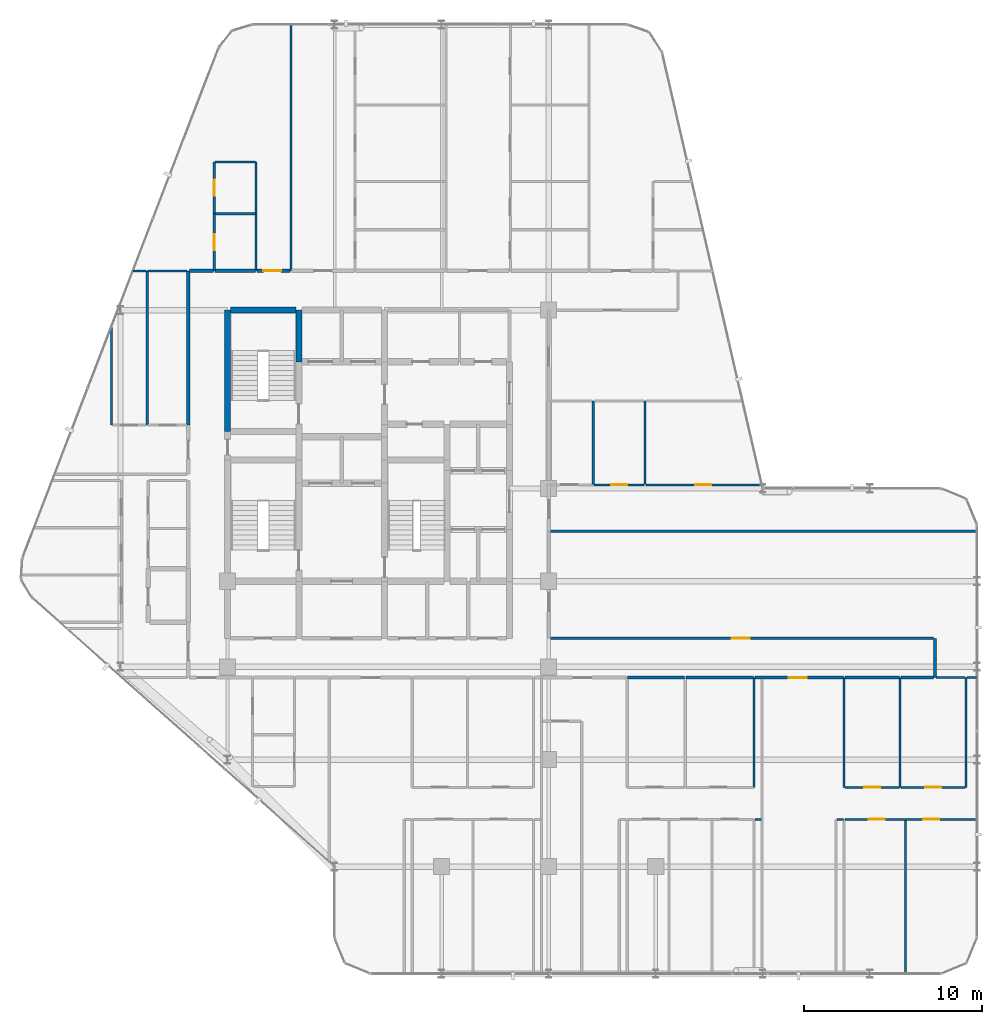
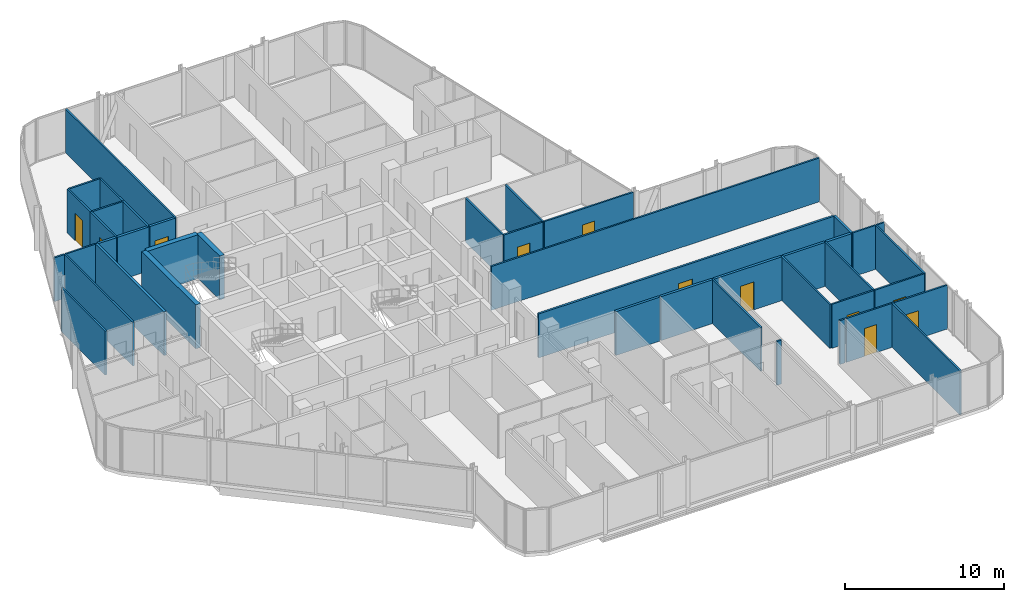
# One storey, part 26 of 29: 42 walls, 11 doors, 11 openings.
"""IFC4 building model written with IfcOpenShell, lengths in metres."""

from ifc_helpers import new_model, si_unit, direction, frame, frame_2d, origin, place, context, subcontext, project, spatial, rectangle, extrude, material, layer, layer_set, type_object, element, fill, save


model = new_model("IFC4")

# Units and contexts
model_context = context("Model", 3, precision=1e-05, world=origin(), true_north=direction((0.0, 1.0)))
body_context = subcontext(model_context, "Body", "Model", "MODEL_VIEW")
ifc_project = project(units=[si_unit("LENGTHUNIT", "METRE"), si_unit("AREAUNIT", "SQUARE_METRE"), si_unit("VOLUMEUNIT", "CUBIC_METRE"), si_unit("PLANEANGLEUNIT", "RADIAN"), si_unit("MASSUNIT", "GRAM", prefix="KILO")], contexts=[model_context])

# Site, building, storey
site_placement = place(None, origin())
site = spatial("IfcSite", under=ifc_project, at=site_placement, CompositionType="ELEMENT")
building_placement = place(site_placement, origin())
building = spatial("IfcBuilding", under=site, at=building_placement, Name="Keshet Zoharim Tower", CompositionType="ELEMENT")
storey_placement = place(building_placement, frame((0.0, 0.0, 180.199951171875)))
storey = spatial("IfcBuildingStorey", under=building, at=storey_placement, Name="L44", CompositionType="ELEMENT", Elevation=180.199951171875)

# Wall
ifc_material_1 = material(Name="Gypsum Plasterboard", Category="gypsum")
ifc_layer_1 = layer(ifc_material_1, 0.14990234375)
ifc_layer_set_1 = layer_set([ifc_layer_1], Name="Gypsum Plasterboard")
wall_type_1 = type_object("IfcWallType", Name="WL-CLIN-150", PredefinedType="STANDARD", material=ifc_layer_set_1)
wall_1_placement = place(storey_placement, frame((54.64990234375, 17.31005859375, 0.0), z_axis=(0.0, 0.0, 1.0), x_axis=(0.0, 1.0, 0.0)))
element("IfcWall", 1, at=wall_1_placement, inside=storey, type_object=wall_type_1, Name="L44 Interior Wall 102", PredefinedType="STANDARD", context=body_context, shape_type="SweptSolid", body=[
    extrude(rectangle(XDim=2.18994140625, YDim=0.14990234375, at=frame_2d((1.094970703125, 0.0))), origin(), (0.0, 0.0, 1.0), 3.380126953125),
])

# Wall, opening, door
wall_2_placement = place(storey_placement, frame((33.070068359375, 19.5, 0.0), z_axis=(0.0, 0.0, 1.0), x_axis=(1.0, 0.0, 0.0)))
wall_2 = element("IfcWall", 2, at=wall_2_placement, inside=storey, type_object=wall_type_1, Name="L44 Interior Wall 140", PredefinedType="STANDARD", context=body_context, shape_type="SweptSolid", body=[
    extrude(rectangle(XDim=21.510009765625, YDim=0.14990234375, at=frame_2d((10.7548828125, 0.0))), origin(), (0.0, 0.0, 1.0), 3.380126953125),
])
opening_1_placement = place(wall_2_placement, frame((10.18505859375, 0.0, 0.0)))
opening_1 = element("IfcOpeningElement", 3, at=opening_1_placement, cuts=wall_2, Name="Opening D-F310", PredefinedType="OPENING", context=body_context, shape_type="SweptSolid", body=[
    extrude(rectangle(XDim=1.0, YDim=2.14990234375, at=frame_2d((0.5, 1.074951171875))), frame((0.0, 0.0849609375, 0.0), z_axis=(0.0, -1.0, 0.0), x_axis=(1.0, 0.0, 0.0)), (0.0, 0.0, 1.0), 0.169921875),
])
ifc_material_2 = material(Name="Hardwood Timber", Category="wood")
door_type_1 = type_object("IfcDoorType", Name="DR-FD30-100", OperationType="NOTDEFINED", PredefinedType="DOOR", material=ifc_material_2)
door_1_placement = place(opening_1_placement, origin())
door_1 = element("IfcDoor", 4, at=door_1_placement, inside=storey, type_object=door_type_1, Name="L44 South East Residents Services Suite Door 1", OperationType="SINGLE_SWING_LEFT", OverallHeight=2.14990234375, OverallWidth=1.0, PredefinedType="DOOR", context=body_context, shape_type="SweptSolid", body=[
    extrude(rectangle(XDim=1.0, YDim=2.14990234375, at=frame_2d((0.5, 1.074951171875))), frame((0.0, 0.02490234375, 0.0), z_axis=(0.0, -1.0, 0.0), x_axis=(1.0, 0.0, 0.0)), (0.0, 0.0, 1.0), 0.050048828125),
])
fill(opening_1, door_1)

# Walls
ifc_material_3 = material(Name="Concrete C60/75", Category="concrete")
ifc_layer_2 = layer(ifc_material_3, 0.35009765625)
ifc_layer_set_2 = layer_set([ifc_layer_2], Name="Concrete C60/75")
wall_type_2 = type_object("IfcWallType", Name="WL-CORE-350", PredefinedType="SHEAR", material=ifc_layer_set_2)
wall_3_placement = place(storey_placement, frame((15.0, 31.10009765625, 0.0), z_axis=(0.0, 0.0, 1.0), x_axis=(0.0, 1.0, 0.0)))
element("IfcWall", 5, at=wall_3_placement, inside=storey, type_object=wall_type_2, Name="L44 Core Shear Wall 018", PredefinedType="SHEAR", context=body_context, shape_type="SweptSolid", body=[
    extrude(rectangle(XDim=6.7998046875, YDim=0.35009765625, at=frame_2d((3.39990234375, 0.0))), origin(), (0.0, 0.0, 1.0), 3.380126953125),
])
wall_4_placement = place(storey_placement, frame((19.0, 35.0, 0.0), z_axis=(0.0, 0.0, 1.0), x_axis=(0.0, 1.0, 0.0)))
element("IfcWall", 6, at=wall_4_placement, inside=storey, type_object=wall_type_2, Name="L44 Core Shear Wall 030", PredefinedType="SHEAR", context=body_context, shape_type="SweptSolid", body=[
    extrude(rectangle(XDim=2.89990234375, YDim=0.35009765625, at=frame_2d((1.449951171875, 0.0))), origin(), (0.0, 0.0, 1.0), 3.380126953125),
])
wall_5_placement = place(storey_placement, frame((15.159912109375, 37.89990234375, 0.0), z_axis=(0.0, 0.0, 1.0), x_axis=(1.0, 0.0, 0.0)))
element("IfcWall", 7, at=wall_5_placement, inside=storey, type_object=wall_type_2, Name="L44 Core Shear Wall 178", PredefinedType="SHEAR", context=body_context, shape_type="SweptSolid", body=[
    extrude(rectangle(XDim=3.68017578125, YDim=0.35009765625, at=frame_2d((1.840087890625, 0.0))), origin(), (0.0, 0.0, 1.0), 3.380126953125),
])
ifc_layer_3 = layer(ifc_material_1, 0.179931640625)
ifc_layer_set_3 = layer_set([ifc_layer_3], Name="Gypsum Plasterboard")
wall_type_3 = type_object("IfcWallType", Name="WL-CORR-180", PredefinedType="STANDARD", material=ifc_layer_set_3)
wall_6_placement = place(storey_placement, frame((12.800048828125, 31.449951171875, 0.0), z_axis=(0.0, 0.0, 1.0), x_axis=(0.0, 1.0, 0.0)))
element("IfcWall", 8, at=wall_6_placement, inside=storey, type_object=wall_type_3, Name="L44 Interior Wall 012", PredefinedType="STANDARD", context=body_context, shape_type="SweptSolid", body=[
    extrude(rectangle(XDim=8.650146484375, YDim=0.179931640625, at=frame_2d((4.3251953125, 0.0))), origin(), (0.0, 0.0, 1.0), 3.380126953125),
])
wall_7_placement = place(storey_placement, frame((37.425048828125, 17.300048828125, 0.0), z_axis=(0.0, 0.0, 1.0), x_axis=(1.0, 0.0, 0.0)))
element("IfcWall", 9, at=wall_7_placement, inside=storey, type_object=wall_type_3, Name="L44 Interior Wall 129", PredefinedType="STANDARD", context=body_context, shape_type="SweptSolid", body=[
    extrude(rectangle(XDim=3.18994140625, YDim=0.179931640625, at=frame_2d((1.594970703125, 0.0))), origin(), (0.0, 0.0, 1.0), 3.380126953125),
])
wall_8_placement = place(storey_placement, frame((40.705078125, 17.300048828125, 0.0), z_axis=(0.0, 0.0, 1.0), x_axis=(1.0, 0.0, 0.0)))
element("IfcWall", 10, at=wall_8_placement, inside=storey, type_object=wall_type_3, Name="L44 Interior Wall 130", PredefinedType="STANDARD", context=body_context, shape_type="SweptSolid", body=[
    extrude(rectangle(XDim=3.760009765625, YDim=0.179931640625, at=frame_2d((1.8798828125, 0.0))), origin(), (0.0, 0.0, 1.0), 3.380126953125),
])

# Wall, opening, door
wall_9_placement = place(storey_placement, frame((44.554931640625, 17.300048828125, 0.0), z_axis=(0.0, 0.0, 1.0), x_axis=(1.0, 0.0, 0.0)))
wall_9 = element("IfcWall", 11, at=wall_9_placement, inside=storey, type_object=wall_type_3, Name="L44 Interior Wall 131", PredefinedType="STANDARD", context=body_context, shape_type="SweptSolid", body=[
    extrude(rectangle(XDim=4.969970703125, YDim=0.179931640625, at=frame_2d((2.48486328125, 0.0))), origin(), (0.0, 0.0, 1.0), 3.380126953125),
])
opening_2_placement = place(wall_9_placement, frame((1.9130859375, 0.0, 0.0)))
opening_2 = element("IfcOpeningElement", 12, at=opening_2_placement, cuts=wall_9, Name="Opening D-F310", PredefinedType="OPENING", context=body_context, shape_type="SweptSolid", body=[
    extrude(rectangle(XDim=1.0, YDim=2.14990234375, at=frame_2d((0.5, 1.074951171875))), frame((0.0, 0.10009765625, 0.0), z_axis=(0.0, -1.0, 0.0), x_axis=(1.0, 0.0, 0.0)), (0.0, 0.0, 1.0), 0.199951171875),
])
door_2_placement = place(opening_2_placement, origin())
door_2 = element("IfcDoor", 13, at=door_2_placement, inside=storey, type_object=door_type_1, Name="Apartment 4404 Entrance Door", OperationType="SINGLE_SWING_LEFT", OverallHeight=2.14990234375, OverallWidth=1.0, PredefinedType="DOOR", context=body_context, shape_type="SweptSolid", body=[
    extrude(rectangle(XDim=1.0, YDim=2.14990234375, at=frame_2d((0.5, 1.074951171875))), frame((0.0, 0.02490234375, 0.0), z_axis=(0.0, -1.0, 0.0), x_axis=(1.0, 0.0, 0.0)), (0.0, 0.0, 1.0), 0.050048828125),
])
fill(opening_2, door_2)

# Walls
wall_10_placement = place(storey_placement, frame((49.614990234375, 17.300048828125, 0.0), z_axis=(0.0, 0.0, 1.0), x_axis=(1.0, 0.0, 0.0)))
element("IfcWall", 14, at=wall_10_placement, inside=storey, type_object=wall_type_3, Name="L44 Interior Wall 132", PredefinedType="STANDARD", context=body_context, shape_type="SweptSolid", body=[
    extrude(rectangle(XDim=3.047119140625, YDim=0.179931640625, at=frame_2d((1.5234375, 0.0))), origin(), (0.0, 0.0, 1.0), 3.380126953125),
])
wall_11_placement = place(storey_placement, frame((52.751953125, 17.300048828125, 0.0), z_axis=(0.0, 0.0, 1.0), x_axis=(1.0, 0.0, 0.0)))
element("IfcWall", 15, at=wall_11_placement, inside=storey, type_object=wall_type_3, Name="L44 Interior Wall 133", PredefinedType="STANDARD", context=body_context, shape_type="SweptSolid", body=[
    extrude(rectangle(XDim=1.828125, YDim=0.179931640625, at=frame_2d((0.9140625, 0.0))), origin(), (0.0, 0.0, 1.0), 3.380126953125),
])
wall_12_placement = place(storey_placement, frame((12.875, 40.10009765625, 0.0), z_axis=(0.0, 0.0, 1.0), x_axis=(1.0, 0.0, 0.0)))
element("IfcWall", 16, at=wall_12_placement, inside=storey, type_object=wall_type_3, Name="L44 Interior Wall 185", PredefinedType="STANDARD", context=body_context, shape_type="SweptSolid", body=[
    extrude(rectangle(XDim=1.330078125, YDim=0.179931640625, at=frame_2d((0.6650390625, 0.0))), origin(), (0.0, 0.0, 1.0), 3.380126953125),
])
wall_13_placement = place(storey_placement, frame((14.294921875, 40.10009765625, 0.0), z_axis=(0.0, 0.0, 1.0), x_axis=(1.0, 0.0, 0.0)))
element("IfcWall", 17, at=wall_13_placement, inside=storey, type_object=wall_type_3, Name="L44 Interior Wall 186", PredefinedType="STANDARD", context=body_context, shape_type="SweptSolid", body=[
    extrude(rectangle(XDim=2.260009765625, YDim=0.179931640625, at=frame_2d((1.1298828125, 0.0))), origin(), (0.0, 0.0, 1.0), 3.380126953125),
])

# Wall, opening, door
wall_14_placement = place(storey_placement, frame((16.64501953125, 40.10009765625, 0.0), z_axis=(0.0, 0.0, 1.0), x_axis=(1.0, 0.0, 0.0)))
wall_14 = element("IfcWall", 18, at=wall_14_placement, inside=storey, type_object=wall_type_3, Name="L44 Interior Wall 187", PredefinedType="STANDARD", context=body_context, shape_type="SweptSolid", body=[
    extrude(rectangle(XDim=1.85986328125, YDim=0.179931640625, at=frame_2d((0.929931640625, 0.0))), origin(), (0.0, 0.0, 1.0), 3.380126953125),
])
opening_3_placement = place(wall_14_placement, frame((0.35693359375, 0.0, 0.0)))
opening_3 = element("IfcOpeningElement", 19, at=opening_3_placement, cuts=wall_14, Name="Opening D-F310", PredefinedType="OPENING", context=body_context, shape_type="SweptSolid", body=[
    extrude(rectangle(XDim=1.0, YDim=2.14990234375, at=frame_2d((0.5, 1.074951171875))), frame((0.0, 0.10009765625, 0.0), z_axis=(0.0, -1.0, 0.0), x_axis=(1.0, 0.0, 0.0)), (0.0, 0.0, 1.0), 0.199951171875),
])
door_3_placement = place(opening_3_placement, origin())
door_3 = element("IfcDoor", 20, at=door_3_placement, inside=storey, type_object=door_type_1, Name="Apartment 4405 Entrance Door", OperationType="SINGLE_SWING_RIGHT", OverallHeight=2.14990234375, OverallWidth=1.0, PredefinedType="DOOR", context=body_context, shape_type="SweptSolid", body=[
    extrude(rectangle(XDim=1.0, YDim=2.14990234375, at=frame_2d((0.5, 1.074951171875))), frame((0.0, 0.02490234375, 0.0), z_axis=(0.0, -1.0, 0.0), x_axis=(1.0, 0.0, 0.0)), (0.0, 0.0, 1.0), 0.050048828125),
])
fill(opening_3, door_3)

# Wall
ifc_layer_4 = layer(ifc_material_1, 0.1201171875)
ifc_layer_set_4 = layer_set([ifc_layer_4], Name="Gypsum Plasterboard")
wall_type_4 = type_object("IfcWallType", Name="WL-PART-120", PredefinedType="PARTITIONING", material=ifc_layer_set_4)
wall_15_placement = place(storey_placement, frame((8.5, 31.449951171875, 0.0), z_axis=(0.0, 0.0, 1.0), x_axis=(0.0, 1.0, 0.0)))
element("IfcWall", 21, at=wall_15_placement, inside=storey, type_object=wall_type_4, Name="L44 Interior Wall 001", PredefinedType="PARTITIONING", context=body_context, shape_type="SweptSolid", body=[
    extrude(rectangle(XDim=5.5400390625, YDim=0.1201171875, at=frame_2d((2.77001953125, 0.0))), origin(), (0.0, 0.0, 1.0), 3.380126953125),
])

# Wall, opening, door
wall_16_placement = place(storey_placement, frame((14.25, 40.10009765625, 0.0), z_axis=(0.0, 0.0, 1.0), x_axis=(0.0, 1.0, 0.0)))
wall_16 = element("IfcWall", 22, at=wall_16_placement, inside=storey, type_object=wall_type_4, Name="L44 Interior Wall 013", PredefinedType="PARTITIONING", context=body_context, shape_type="SweptSolid", body=[
    extrude(rectangle(XDim=3.199951171875, YDim=0.1201171875, at=frame_2d((1.60009765625, 0.0))), origin(), (0.0, 0.0, 1.0), 3.380126953125),
])
opening_4_placement = place(wall_16_placement, frame((1.14990234375, 0.0, 0.0)))
opening_4 = element("IfcOpeningElement", 23, at=opening_4_placement, cuts=wall_16, Name="Opening D-IN90", PredefinedType="OPENING", context=body_context, shape_type="SweptSolid", body=[
    extrude(rectangle(XDim=0.89990234375, YDim=2.14990234375, at=frame_2d((0.449951171875, 1.074951171875))), frame((0.0, 0.070068359375, 0.0), z_axis=(0.0, -1.0, 0.0), x_axis=(1.0, 0.0, 0.0)), (0.0, 0.0, 1.0), 0.14013671875),
])
door_type_2 = type_object("IfcDoorType", Name="DR-INT-090", OperationType="NOTDEFINED", PredefinedType="DOOR", material=ifc_material_2)
door_4_placement = place(opening_4_placement, origin())
door_4 = element("IfcDoor", 24, at=door_4_placement, inside=storey, type_object=door_type_2, Name="Apartment 4405 Kitchenette Door", OperationType="SINGLE_SWING_RIGHT", OverallHeight=2.14990234375, OverallWidth=0.89990234375, PredefinedType="DOOR", context=body_context, shape_type="SweptSolid", body=[
    extrude(rectangle(XDim=0.89990234375, YDim=2.14990234375, at=frame_2d((0.449951171875, 1.074951171875))), frame((0.0, 0.02490234375, 0.0), z_axis=(0.0, -1.0, 0.0), x_axis=(1.0, 0.0, 0.0)), (0.0, 0.0, 1.0), 0.050048828125),
])
fill(opening_4, door_4)

# Walls
wall_17_placement = place(storey_placement, frame((16.60009765625, 40.10009765625, 0.0), z_axis=(0.0, 0.0, 1.0), x_axis=(0.0, 1.0, 0.0)))
element("IfcWall", 25, at=wall_17_placement, inside=storey, type_object=wall_type_4, Name="L44 Interior Wall 021", PredefinedType="PARTITIONING", context=body_context, shape_type="SweptSolid", body=[
    extrude(rectangle(XDim=3.199951171875, YDim=0.1201171875, at=frame_2d((1.60009765625, 0.0))), origin(), (0.0, 0.0, 1.0), 3.380126953125),
])
wall_18_placement = place(storey_placement, frame((18.550048828125, 40.10009765625, 0.0), z_axis=(0.0, 0.0, 1.0), x_axis=(0.0, 1.0, 0.0)))
element("IfcWall", 26, at=wall_18_placement, inside=storey, type_object=wall_type_4, Name="L44 Interior Wall 023", PredefinedType="PARTITIONING", context=body_context, shape_type="SweptSolid", body=[
    extrude(rectangle(XDim=13.789794921875, YDim=0.1201171875, at=frame_2d((6.89501953125, 0.0))), origin(), (0.0, 0.0, 1.0), 3.380126953125),
])
wall_19_placement = place(storey_placement, frame((49.550048828125, 11.14990234375, 0.0), z_axis=(0.0, 0.0, 1.0), x_axis=(0.0, 1.0, 0.0)))
element("IfcWall", 27, at=wall_19_placement, inside=storey, type_object=wall_type_4, Name="L44 Interior Wall 099", PredefinedType="PARTITIONING", context=body_context, shape_type="SweptSolid", body=[
    extrude(rectangle(XDim=6.150146484375, YDim=0.1201171875, at=frame_2d((3.0751953125, 0.0))), origin(), (0.0, 0.0, 1.0), 3.380126953125),
])
wall_20_placement = place(storey_placement, frame((53.0, 0.7099609375, 0.0), z_axis=(0.0, 0.0, 1.0), x_axis=(0.0, 1.0, 0.0)))
element("IfcWall", 28, at=wall_20_placement, inside=storey, type_object=wall_type_4, Name="L44 Interior Wall 101", PredefinedType="PARTITIONING", context=body_context, shape_type="SweptSolid", body=[
    extrude(rectangle(XDim=8.64013671875, YDim=0.1201171875, at=frame_2d((4.320068359375, 0.0))), origin(), (0.0, 0.0, 1.0), 3.380126953125),
])
wall_21_placement = place(storey_placement, frame((44.554931640625, 9.35009765625, 0.0), z_axis=(0.0, 0.0, 1.0), x_axis=(1.0, 0.0, 0.0)))
element("IfcWall", 29, at=wall_21_placement, inside=storey, type_object=wall_type_4, Name="L44 Interior Wall 109", PredefinedType="PARTITIONING", context=body_context, shape_type="SweptSolid", body=[
    extrude(rectangle(XDim=0.360107421875, YDim=0.1201171875, at=frame_2d((0.18017578125, 0.0))), origin(), (0.0, 0.0, 1.0), 3.380126953125),
])
wall_22_placement = place(storey_placement, frame((49.1650390625, 9.35009765625, 0.0), z_axis=(0.0, 0.0, 1.0), x_axis=(1.0, 0.0, 0.0)))
element("IfcWall", 30, at=wall_22_placement, inside=storey, type_object=wall_type_4, Name="L44 Interior Wall 110", PredefinedType="PARTITIONING", context=body_context, shape_type="SweptSolid", body=[
    extrude(rectangle(XDim=0.35986328125, YDim=0.1201171875, at=frame_2d((0.179931640625, 0.0))), origin(), (0.0, 0.0, 1.0), 3.380126953125),
])

# Wall, openings, doors
wall_23_placement = place(storey_placement, frame((49.614990234375, 9.35009765625, 0.0), z_axis=(0.0, 0.0, 1.0), x_axis=(1.0, 0.0, 0.0)))
wall_23 = element("IfcWall", 31, at=wall_23_placement, inside=storey, type_object=wall_type_4, Name="L44 Interior Wall 111", PredefinedType="PARTITIONING", context=body_context, shape_type="SweptSolid", body=[
    extrude(rectangle(XDim=7.375, YDim=0.1201171875, at=frame_2d((3.6875, 0.0))), origin(), (0.0, 0.0, 1.0), 3.380126953125),
])
opening_5_placement = place(wall_23_placement, frame((1.31005859375, 0.0, 0.0)))
opening_5 = element("IfcOpeningElement", 32, at=opening_5_placement, cuts=wall_23, Name="Opening D-IN90", PredefinedType="OPENING", context=body_context, shape_type="SweptSolid", body=[
    extrude(rectangle(XDim=0.89990234375, YDim=2.14990234375, at=frame_2d((0.449951171875, 1.074951171875))), frame((0.0, 0.070068359375, 0.0), z_axis=(0.0, -1.0, 0.0), x_axis=(1.0, 0.0, 0.0)), (0.0, 0.0, 1.0), 0.14013671875),
])
opening_6_placement = place(wall_23_placement, frame((4.3701171875, 0.0, 0.0)))
opening_6 = element("IfcOpeningElement", 33, at=opening_6_placement, cuts=wall_23, Name="Opening D-IN90", PredefinedType="OPENING", context=body_context, shape_type="SweptSolid", body=[
    extrude(rectangle(XDim=0.89990234375, YDim=2.14990234375, at=frame_2d((0.449951171875, 1.074951171875))), frame((0.0, 0.070068359375, 0.0), z_axis=(0.0, -1.0, 0.0), x_axis=(1.0, 0.0, 0.0)), (0.0, 0.0, 1.0), 0.14013671875),
])
door_5_placement = place(opening_5_placement, origin())
door_5 = element("IfcDoor", 34, at=door_5_placement, inside=storey, type_object=door_type_2, Name="Apartment 4404 Bedroom 1 Door", OperationType="SINGLE_SWING_LEFT", OverallHeight=2.14990234375, OverallWidth=0.89990234375, PredefinedType="DOOR", context=body_context, shape_type="SweptSolid", body=[
    extrude(rectangle(XDim=0.89990234375, YDim=2.14990234375, at=frame_2d((0.449951171875, 1.074951171875))), frame((0.0, 0.02490234375, 0.0), z_axis=(0.0, -1.0, 0.0), x_axis=(1.0, 0.0, 0.0)), (0.0, 0.0, 1.0), 0.050048828125),
])
fill(opening_5, door_5)
door_6_placement = place(opening_6_placement, origin())
door_6 = element("IfcDoor", 35, at=door_6_placement, inside=storey, type_object=door_type_2, Name="Apartment 4404 Bedroom 2 Door", OperationType="SINGLE_SWING_RIGHT", OverallHeight=2.14990234375, OverallWidth=0.89990234375, PredefinedType="DOOR", context=body_context, shape_type="SweptSolid", body=[
    extrude(rectangle(XDim=0.89990234375, YDim=2.14990234375, at=frame_2d((0.449951171875, 1.074951171875))), frame((0.0, 0.02490234375, 0.0), z_axis=(0.0, -1.0, 0.0), x_axis=(1.0, 0.0, 0.0)), (0.0, 0.0, 1.0), 0.050048828125),
])
fill(opening_6, door_6)

# Wall, opening, door
wall_24_placement = place(storey_placement, frame((49.614990234375, 11.14990234375, 0.0), z_axis=(0.0, 0.0, 1.0), x_axis=(1.0, 0.0, 0.0)))
wall_24 = element("IfcWall", 36, at=wall_24_placement, inside=storey, type_object=wall_type_4, Name="L44 Interior Wall 116", PredefinedType="PARTITIONING", context=body_context, shape_type="SweptSolid", body=[
    extrude(rectangle(XDim=3.047119140625, YDim=0.1201171875, at=frame_2d((1.5234375, 0.0))), origin(), (0.0, 0.0, 1.0), 3.380126953125),
])
opening_7_placement = place(wall_24_placement, frame((1.073974609375, 0.0, 0.0)))
opening_7 = element("IfcOpeningElement", 37, at=opening_7_placement, cuts=wall_24, Name="Opening D-IN90", PredefinedType="OPENING", context=body_context, shape_type="SweptSolid", body=[
    extrude(rectangle(XDim=0.89990234375, YDim=2.14990234375, at=frame_2d((0.449951171875, 1.074951171875))), frame((0.0, 0.070068359375, 0.0), z_axis=(0.0, -1.0, 0.0), x_axis=(1.0, 0.0, 0.0)), (0.0, 0.0, 1.0), 0.14013671875),
])
door_7_placement = place(opening_7_placement, origin())
door_7 = element("IfcDoor", 38, at=door_7_placement, inside=storey, type_object=door_type_2, Name="Apartment 4404 Kitchen Door", OperationType="SINGLE_SWING_LEFT", OverallHeight=2.14990234375, OverallWidth=0.89990234375, PredefinedType="DOOR", context=body_context, shape_type="SweptSolid", body=[
    extrude(rectangle(XDim=0.89990234375, YDim=2.14990234375, at=frame_2d((0.449951171875, 1.074951171875))), frame((0.0, 0.02490234375, 0.0), z_axis=(0.0, -1.0, 0.0), x_axis=(1.0, 0.0, 0.0)), (0.0, 0.0, 1.0), 0.050048828125),
])
fill(opening_7, door_7)

# Walls
wall_25_placement = place(storey_placement, frame((56.43505859375, 17.300048828125, 0.0), z_axis=(0.0, 0.0, 1.0), x_axis=(1.0, 0.0, 0.0)))
element("IfcWall", 39, at=wall_25_placement, inside=storey, type_object=wall_type_4, Name="L44 Interior Wall 135", PredefinedType="PARTITIONING", context=body_context, shape_type="SweptSolid", body=[
    extrude(rectangle(XDim=0.554931640625, YDim=0.1201171875, at=frame_2d((0.27734375, 0.0))), origin(), (0.0, 0.0, 1.0), 3.380126953125),
])
wall_26_placement = place(storey_placement, frame((33.0849609375, 25.5, 0.0), z_axis=(0.0, 0.0, 1.0), x_axis=(1.0, 0.0, 0.0)))
element("IfcWall", 40, at=wall_26_placement, inside=storey, type_object=wall_type_4, Name="L44 Interior Wall 151", PredefinedType="PARTITIONING", context=body_context, shape_type="SweptSolid", body=[
    extrude(rectangle(XDim=23.905029296875, YDim=0.1201171875, at=frame_2d((11.95263671875, 0.0))), origin(), (0.0, 0.0, 1.0), 3.380126953125),
])

# Wall, opening, door
wall_27_placement = place(storey_placement, frame((38.445068359375, 28.10009765625, 0.0), z_axis=(0.0, 0.0, 1.0), x_axis=(1.0, 0.0, 0.0)))
wall_27 = element("IfcWall", 41, at=wall_27_placement, inside=storey, type_object=wall_type_4, Name="L44 Interior Wall 157", PredefinedType="PARTITIONING", context=body_context, shape_type="SweptSolid", body=[
    extrude(rectangle(XDim=6.4990234375, YDim=0.1201171875, at=frame_2d((3.24951171875, 0.0))), origin(), (0.0, 0.0, 1.0), 3.380126953125),
])
opening_8_placement = place(wall_27_placement, frame((2.77392578125, 0.0, 0.0)))
opening_8 = element("IfcOpeningElement", 42, at=opening_8_placement, cuts=wall_27, Name="Opening D-IN90", PredefinedType="OPENING", context=body_context, shape_type="SweptSolid", body=[
    extrude(rectangle(XDim=0.89990234375, YDim=2.14990234375, at=frame_2d((0.449951171875, 1.074951171875))), frame((0.0, 0.070068359375, 0.0), z_axis=(0.0, -1.0, 0.0), x_axis=(1.0, 0.0, 0.0)), (0.0, 0.0, 1.0), 0.14013671875),
])
door_8_placement = place(opening_8_placement, origin())
door_8 = element("IfcDoor", 43, at=door_8_placement, inside=storey, type_object=door_type_2, Name="Apartment 4411 Bedroom 1 Door", OperationType="SINGLE_SWING_LEFT", OverallHeight=2.14990234375, OverallWidth=0.89990234375, PredefinedType="DOOR", context=body_context, shape_type="SweptSolid", body=[
    extrude(rectangle(XDim=0.89990234375, YDim=2.14990234375, at=frame_2d((0.449951171875, 1.074951171875))), frame((0.0, 0.02490234375, 0.0), z_axis=(0.0, -1.0, 0.0), x_axis=(1.0, 0.0, 0.0)), (0.0, 0.0, 1.0), 0.050048828125),
])
fill(opening_8, door_8)

# Walls
wall_28_placement = place(storey_placement, frame((9.701904296875, 40.10009765625, 0.0), z_axis=(0.0, 0.0, 1.0), x_axis=(1.0, 0.0, 0.0)))
element("IfcWall", 44, at=wall_28_placement, inside=storey, type_object=wall_type_4, Name="L44 Interior Wall 183", PredefinedType="PARTITIONING", context=body_context, shape_type="SweptSolid", body=[
    extrude(rectangle(XDim=0.731201171875, YDim=0.1201171875, at=frame_2d((0.36572265625, 0.0))), origin(), (0.0, 0.0, 1.0), 3.380126953125),
])
ifc_layer_5 = layer(ifc_material_1, 0.1201171875)
ifc_layer_set_5 = layer_set([ifc_layer_5], Name="Gypsum Plasterboard")
wall_type_5 = type_object("IfcWallType", Name="WL-WET-120", PredefinedType="PARTITIONING", material=ifc_layer_set_5)
wall_29_placement = place(storey_placement, frame((10.5, 31.449951171875, 0.0), z_axis=(0.0, 0.0, 1.0), x_axis=(0.0, 1.0, 0.0)))
element("IfcWall", 45, at=wall_29_placement, inside=storey, type_object=wall_type_5, Name="L44 Interior Wall 003", PredefinedType="PARTITIONING", context=body_context, shape_type="SweptSolid", body=[
    extrude(rectangle(XDim=8.650146484375, YDim=0.1201171875, at=frame_2d((4.3251953125, 0.0))), origin(), (0.0, 0.0, 1.0), 3.380126953125),
])

# Wall, opening, door
wall_30_placement = place(storey_placement, frame((14.25, 43.300048828125, 0.0), z_axis=(0.0, 0.0, 1.0), x_axis=(0.0, 1.0, 0.0)))
wall_30 = element("IfcWall", 46, at=wall_30_placement, inside=storey, type_object=wall_type_5, Name="L44 Interior Wall 014", PredefinedType="PARTITIONING", context=body_context, shape_type="SweptSolid", body=[
    extrude(rectangle(XDim=2.89990234375, YDim=0.1201171875, at=frame_2d((1.449951171875, 0.0))), origin(), (0.0, 0.0, 1.0), 3.380126953125),
])
opening_9_placement = place(wall_30_placement, frame((1.0, 0.0, 0.0)))
opening_9 = element("IfcOpeningElement", 47, at=opening_9_placement, cuts=wall_30, Name="Opening D-WT90", PredefinedType="OPENING", context=body_context, shape_type="SweptSolid", body=[
    extrude(rectangle(XDim=0.89990234375, YDim=2.10009765625, at=frame_2d((0.449951171875, 1.050048828125))), frame((0.0, 0.070068359375, 0.0), z_axis=(0.0, -1.0, 0.0), x_axis=(1.0, 0.0, 0.0)), (0.0, 0.0, 1.0), 0.14013671875),
])
door_type_3 = type_object("IfcDoorType", Name="DR-WET-090", OperationType="NOTDEFINED", PredefinedType="DOOR", material=ifc_material_2)
door_9_placement = place(opening_9_placement, origin())
door_9 = element("IfcDoor", 48, at=door_9_placement, inside=storey, type_object=door_type_3, Name="Apartment 4405 Bathroom Door", OperationType="SINGLE_SWING_LEFT", OverallHeight=2.10009765625, OverallWidth=0.89990234375, PredefinedType="DOOR", context=body_context, shape_type="SweptSolid", body=[
    extrude(rectangle(XDim=0.89990234375, YDim=2.10009765625, at=frame_2d((0.449951171875, 1.050048828125))), frame((0.0, 0.02490234375, 0.0), z_axis=(0.0, -1.0, 0.0), x_axis=(1.0, 0.0, 0.0)), (0.0, 0.0, 1.0), 0.050048828125),
])
fill(opening_9, door_9)

# Walls
wall_31_placement = place(storey_placement, frame((16.60009765625, 43.300048828125, 0.0), z_axis=(0.0, 0.0, 1.0), x_axis=(0.0, 1.0, 0.0)))
element("IfcWall", 49, at=wall_31_placement, inside=storey, type_object=wall_type_5, Name="L44 Interior Wall 022", PredefinedType="PARTITIONING", context=body_context, shape_type="SweptSolid", body=[
    extrude(rectangle(XDim=2.89990234375, YDim=0.1201171875, at=frame_2d((1.449951171875, 0.0))), origin(), (0.0, 0.0, 1.0), 3.380126953125),
])
for number, where, z_axis, x_axis, name in (
    (50, (35.5, 28.110107421875, 0.0), (0.0, 0.0, 1.0), (0.0, 1.0, 0.0), "L44 Interior Wall 083"),
    (51, (38.39990234375, 28.110107421875, 0.0), (0.0, 0.0, 1.0), (0.0, 1.0, 0.0), "L44 Interior Wall 087"),
):
    element("IfcWall", number, at=place(storey_placement, frame(where, z_axis=z_axis, x_axis=x_axis)), inside=storey, type_object=wall_type_5, Name=name, PredefinedType="PARTITIONING", context=body_context, shape_type="SweptSolid", body=[
        extrude(rectangle(XDim=4.68994140625, YDim=0.1201171875, at=frame_2d((2.344970703125, 0.0))), origin(), (0.0, 0.0, 1.0), 3.380126953125),
    ])
for number, where, z_axis, x_axis, name in (
    (52, (44.5, 11.14990234375, 0.0), (0.0, 0.0, 1.0), (0.0, 1.0, 0.0), "L44 Interior Wall 095"),
    (53, (52.699951171875, 11.14990234375, 0.0), (0.0, 0.0, 1.0), (0.0, 1.0, 0.0), "L44 Interior Wall 100"),
    (54, (56.39990234375, 11.14990234375, 0.0), (0.0, 0.0, 1.0), (0.0, 1.0, 0.0), "L44 Interior Wall 103"),
):
    element("IfcWall", number, at=place(storey_placement, frame(where, z_axis=z_axis, x_axis=x_axis)), inside=storey, type_object=wall_type_5, Name=name, PredefinedType="PARTITIONING", context=body_context, shape_type="SweptSolid", body=[
        extrude(rectangle(XDim=6.150146484375, YDim=0.1201171875, at=frame_2d((3.0751953125, 0.0))), origin(), (0.0, 0.0, 1.0), 3.380126953125),
    ])

# Wall, opening, door
wall_32_placement = place(storey_placement, frame((52.751953125, 11.14990234375, 0.0), z_axis=(0.0, 0.0, 1.0), x_axis=(1.0, 0.0, 0.0)))
wall_32 = element("IfcWall", 55, at=wall_32_placement, inside=storey, type_object=wall_type_5, Name="L44 Interior Wall 117", PredefinedType="PARTITIONING", context=body_context, shape_type="SweptSolid", body=[
    extrude(rectangle(XDim=3.593017578125, YDim=0.1201171875, at=frame_2d((1.79638671875, 0.0))), origin(), (0.0, 0.0, 1.0), 3.380126953125),
])
opening_10_placement = place(wall_32_placement, frame((1.346923828125, 0.0, 0.0)))
opening_10 = element("IfcOpeningElement", 56, at=opening_10_placement, cuts=wall_32, Name="Opening D-WT90", PredefinedType="OPENING", context=body_context, shape_type="SweptSolid", body=[
    extrude(rectangle(XDim=0.89990234375, YDim=2.10009765625, at=frame_2d((0.449951171875, 1.050048828125))), frame((0.0, 0.070068359375, 0.0), z_axis=(0.0, -1.0, 0.0), x_axis=(1.0, 0.0, 0.0)), (0.0, 0.0, 1.0), 0.14013671875),
])
door_10_placement = place(opening_10_placement, origin())
door_10 = element("IfcDoor", 57, at=door_10_placement, inside=storey, type_object=door_type_3, Name="Apartment 4404 Bathroom Door", OperationType="SINGLE_SWING_RIGHT", OverallHeight=2.10009765625, OverallWidth=0.89990234375, PredefinedType="DOOR", context=body_context, shape_type="SweptSolid", body=[
    extrude(rectangle(XDim=0.89990234375, YDim=2.10009765625, at=frame_2d((0.449951171875, 1.050048828125))), frame((0.0, 0.02490234375, 0.0), z_axis=(0.0, -1.0, 0.0), x_axis=(1.0, 0.0, 0.0)), (0.0, 0.0, 1.0), 0.050048828125),
])
fill(opening_10, door_10)

# Wall
wall_33_placement = place(storey_placement, frame((54.7099609375, 17.300048828125, 0.0), z_axis=(0.0, 0.0, 1.0), x_axis=(1.0, 0.0, 0.0)))
element("IfcWall", 58, at=wall_33_placement, inside=storey, type_object=wall_type_5, Name="L44 Interior Wall 134", PredefinedType="PARTITIONING", context=body_context, shape_type="SweptSolid", body=[
    extrude(rectangle(XDim=1.635009765625, YDim=0.1201171875, at=frame_2d((0.8173828125, 0.0))), origin(), (0.0, 0.0, 1.0), 3.380126953125),
])

# Wall, opening, door
wall_34_placement = place(storey_placement, frame((35.529052734375, 28.10009765625, 0.0), z_axis=(0.0, 0.0, 1.0), x_axis=(1.0, 0.0, 0.0)))
wall_34 = element("IfcWall", 59, at=wall_34_placement, inside=storey, type_object=wall_type_5, Name="L44 Interior Wall 156", PredefinedType="PARTITIONING", context=body_context, shape_type="SweptSolid", body=[
    extrude(rectangle(XDim=2.825927734375, YDim=0.1201171875, at=frame_2d((1.4130859375, 0.0))), origin(), (0.0, 0.0, 1.0), 3.380126953125),
])
opening_11_placement = place(wall_34_placement, frame((0.962890625, 0.0, 0.0)))
opening_11 = element("IfcOpeningElement", 60, at=opening_11_placement, cuts=wall_34, Name="Opening D-WT90", PredefinedType="OPENING", context=body_context, shape_type="SweptSolid", body=[
    extrude(rectangle(XDim=0.89990234375, YDim=2.10009765625, at=frame_2d((0.449951171875, 1.050048828125))), frame((0.0, 0.070068359375, 0.0), z_axis=(0.0, -1.0, 0.0), x_axis=(1.0, 0.0, 0.0)), (0.0, 0.0, 1.0), 0.14013671875),
])
door_11_placement = place(opening_11_placement, origin())
door_11 = element("IfcDoor", 61, at=door_11_placement, inside=storey, type_object=door_type_3, Name="Apartment 4411 Bathroom Door", OperationType="SINGLE_SWING_RIGHT", OverallHeight=2.10009765625, OverallWidth=0.89990234375, PredefinedType="DOOR", context=body_context, shape_type="SweptSolid", body=[
    extrude(rectangle(XDim=0.89990234375, YDim=2.10009765625, at=frame_2d((0.449951171875, 1.050048828125))), frame((0.0, 0.02490234375, 0.0), z_axis=(0.0, -1.0, 0.0), x_axis=(1.0, 0.0, 0.0)), (0.0, 0.0, 1.0), 0.050048828125),
])
fill(opening_11, door_11)

# Walls
wall_35_placement = place(storey_placement, frame((10.52294921875, 40.10009765625, 0.0), z_axis=(0.0, 0.0, 1.0), x_axis=(1.0, 0.0, 0.0)))
element("IfcWall", 62, at=wall_35_placement, inside=storey, type_object=wall_type_5, Name="L44 Interior Wall 184", PredefinedType="PARTITIONING", context=body_context, shape_type="SweptSolid", body=[
    extrude(rectangle(XDim=2.2021484375, YDim=0.1201171875, at=frame_2d((1.10107421875, 0.0))), origin(), (0.0, 0.0, 1.0), 3.380126953125),
])
for number, where, z_axis, x_axis, name in (
    (63, (14.294921875, 43.300048828125, 0.0), (0.0, 0.0, 1.0), (1.0, 0.0, 0.0), "L44 Interior Wall 199"),
    (64, (14.294921875, 46.199951171875, 0.0), (0.0, 0.0, 1.0), (1.0, 0.0, 0.0), "L44 Interior Wall 203"),
):
    element("IfcWall", number, at=place(storey_placement, frame(where, z_axis=z_axis, x_axis=x_axis)), inside=storey, type_object=wall_type_5, Name=name, PredefinedType="PARTITIONING", context=body_context, shape_type="SweptSolid", body=[
        extrude(rectangle(XDim=2.260009765625, YDim=0.1201171875, at=frame_2d((1.1298828125, 0.0))), origin(), (0.0, 0.0, 1.0), 3.380126953125),
    ])

save(model, "model.ifc")
